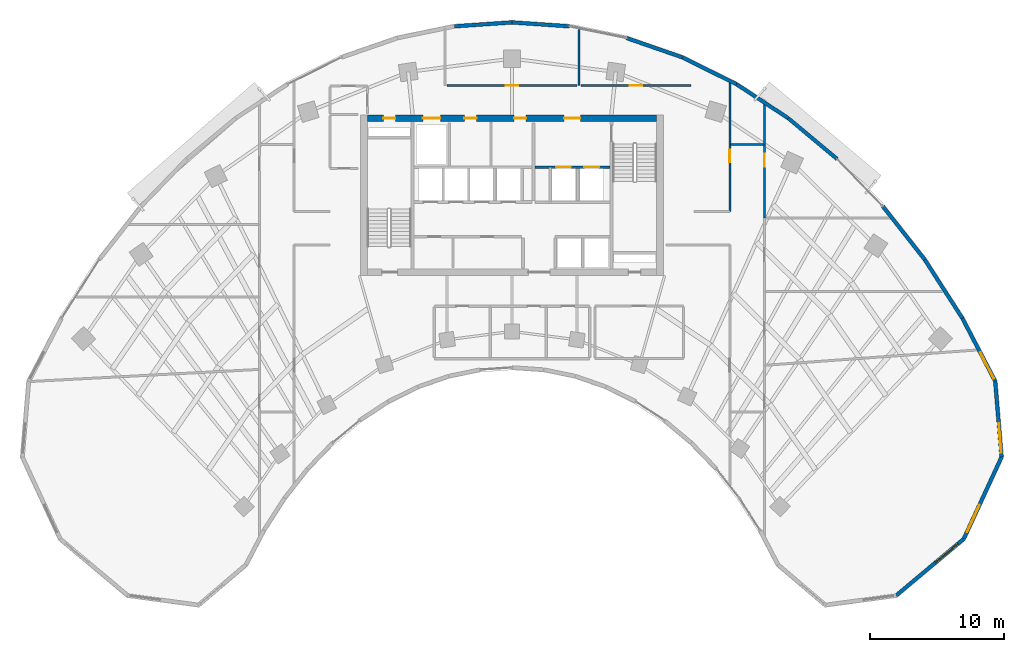
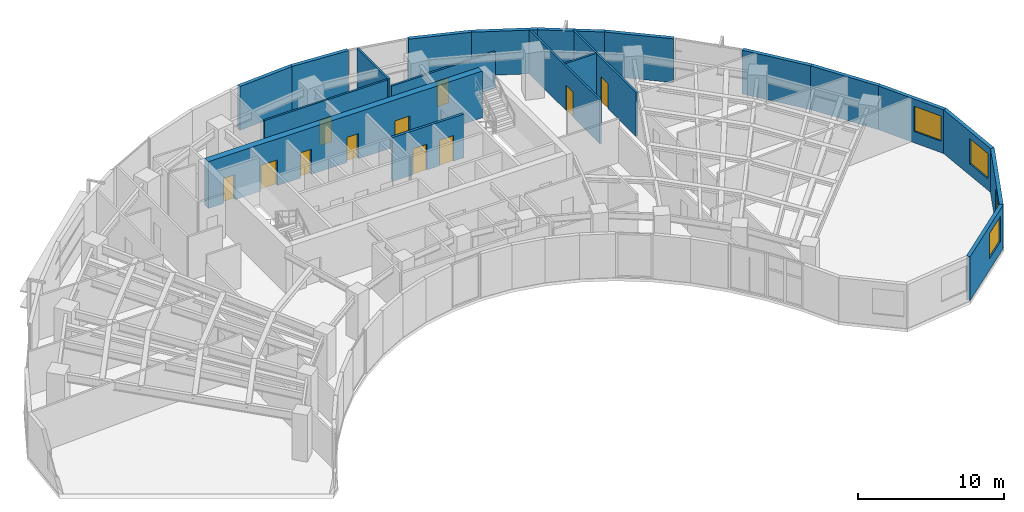
# One storey, part 11 of 14: 20 walls, 11 doors, 4 windows, 15 openings.
"""IFC4 building model written with IfcOpenShell, lengths in metres."""

from ifc_helpers import new_model, si_unit, direction, frame, frame_2d, origin, place, context, subcontext, project, spatial, rectangle, extrude, source, transform, mapped, material, layer, layer_set, type_object, type_shapes, element, fill, save


model = new_model("IFC4")

# Units and contexts
model_context = context("Model", 3, precision=1e-05, world=origin(), true_north=direction((0.0, 1.0)))
body_context = subcontext(model_context, "Body", "Model", "MODEL_VIEW")
ifc_project = project(units=[si_unit("LENGTHUNIT", "METRE"), si_unit("AREAUNIT", "SQUARE_METRE"), si_unit("VOLUMEUNIT", "CUBIC_METRE"), si_unit("PLANEANGLEUNIT", "RADIAN"), si_unit("MASSUNIT", "GRAM", prefix="KILO")], contexts=[model_context])

# Site, building, storey
site_placement = place(None, origin())
site = spatial("IfcSite", under=ifc_project, at=site_placement, CompositionType="ELEMENT")
building_placement = place(site_placement, origin())
building = spatial("IfcBuilding", under=site, at=building_placement, Name="Breltana Convention Tower", CompositionType="ELEMENT")
storey_placement = place(building_placement, frame((0.0, 0.0, 103.800048828125)))
storey = spatial("IfcBuildingStorey", under=building, at=storey_placement, Name="L24", CompositionType="ELEMENT", Elevation=103.800048828125)

# Wall, openings, doors
ifc_material_1 = material(Name="Concrete C60/75", Category="concrete")
ifc_layer_1 = layer(ifc_material_1, 0.5, Name="Concrete C60/75")
ifc_layer_set_1 = layer_set([ifc_layer_1], Name="Concrete C60/75")
wall_type_1 = type_object("IfcWallType", Name="SW-CORE-500", PredefinedType="SHEAR", material=ifc_layer_set_1)
shared_shape_1 = source(origin(), body_context, "Body", "SweptSolid", [
    extrude(rectangle(XDim=21.60009765625, YDim=0.5, at=frame_2d((10.800048828125, 0.0))), origin(), (0.0, 0.0, 1.0), 3.89990234375),
])
wall_1_placement = place(storey_placement, frame((37.199951171875, 71.949951171875, 0.0), z_axis=(0.0, 0.0, 1.0), x_axis=(1.0, 0.0, 0.0)))
wall_1 = element("IfcWall", 1, at=wall_1_placement, inside=storey, type_object=wall_type_1, Name="L24 North Core Shear Wall", PredefinedType="SHEAR", context=body_context, shape_type="MappedRepresentation", body=[
    mapped(shared_shape_1, transform((0.0, 0.0, 0.0), scale=1.0)),
])
opening_1_placement = place(wall_1_placement, frame((1.199951171875, 0.0, 0.0)))
opening_1 = element("IfcOpeningElement", 2, at=opening_1_placement, cuts=wall_1, Name="Opening D-18", PredefinedType="OPENING", context=body_context, shape_type="SweptSolid", body=[
    extrude(rectangle(XDim=0.89990234375, YDim=2.10009765625, at=frame_2d((0.449951171875, 1.050048828125))), frame((0.0, 0.260009765625, 0.0), z_axis=(0.0, -1.0, 0.0), x_axis=(1.0, 0.0, 0.0)), (0.0, 0.0, 1.0), 0.52001953125),
])
opening_2_placement = place(wall_1_placement, frame((14.699951171875, 0.0, 0.0)))
opening_2 = element("IfcOpeningElement", 3, at=opening_2_placement, cuts=wall_1, Name="Opening D-09", PredefinedType="OPENING", context=body_context, shape_type="SweptSolid", body=[
    extrude(rectangle(XDim=1.199951171875, YDim=2.14990234375, at=frame_2d((0.60009765625, 1.074951171875))), frame((0.0, 0.260009765625, 0.0), z_axis=(0.0, -1.0, 0.0), x_axis=(1.0, 0.0, 0.0)), (0.0, 0.0, 1.0), 0.52001953125),
])
opening_3_placement = place(wall_1_placement, frame((4.14990234375, 0.0, 0.0)))
opening_3 = element("IfcOpeningElement", 4, at=opening_3_placement, cuts=wall_1, Name="Opening LD-01", PredefinedType="OPENING", context=body_context, shape_type="SweptSolid", body=[
    extrude(rectangle(XDim=1.300048828125, YDim=2.14990234375, at=frame_2d((0.64990234375, 1.074951171875))), frame((0.0, 0.260009765625, 0.0), z_axis=(0.0, -1.0, 0.0), x_axis=(1.0, 0.0, 0.0)), (0.0, 0.0, 1.0), 0.52001953125),
])
opening_4_placement = place(wall_1_placement, frame((7.25, 0.0, 0.0)))
opening_4 = element("IfcOpeningElement", 5, at=opening_4_placement, cuts=wall_1, Name="Opening D-18", PredefinedType="OPENING", context=body_context, shape_type="SweptSolid", body=[
    extrude(rectangle(XDim=0.89990234375, YDim=2.10009765625, at=frame_2d((0.449951171875, 1.050048828125))), frame((0.0, 0.260009765625, 0.0), z_axis=(0.0, -1.0, 0.0), x_axis=(1.0, 0.0, 0.0)), (0.0, 0.0, 1.0), 0.52001953125),
])
opening_5_placement = place(wall_1_placement, frame((10.949951171875, 0.0, 0.0)))
opening_5 = element("IfcOpeningElement", 6, at=opening_5_placement, cuts=wall_1, Name="Opening D-18", PredefinedType="OPENING", context=body_context, shape_type="SweptSolid", body=[
    extrude(rectangle(XDim=0.89990234375, YDim=2.10009765625, at=frame_2d((0.449951171875, 1.050048828125))), frame((0.0, 0.260009765625, 0.0), z_axis=(0.0, -1.0, 0.0), x_axis=(1.0, 0.0, 0.0)), (0.0, 0.0, 1.0), 0.52001953125),
])
ifc_material_2 = material(Name="Steel Riser Fire Door", Category="steel")
door_type_1 = type_object("IfcDoorType", Name="DR-FD60-900", OperationType="NOTDEFINED", PredefinedType="DOOR", material=ifc_material_2)
shared_shape_2 = source(origin(), body_context, "Body", "SweptSolid", [
    extrude(rectangle(XDim=0.89990234375, YDim=2.10009765625, at=frame_2d((0.449951171875, 1.050048828125))), frame((0.0, 0.02490234375, 0.0), z_axis=(0.0, -1.0, 0.0), x_axis=(1.0, 0.0, 0.0)), (0.0, 0.0, 1.0), 0.050048828125),
])
type_shapes(door_type_1, [shared_shape_2])
door_1_placement = place(opening_1_placement, origin())
door_1 = element("IfcDoor", 7, at=door_1_placement, inside=storey, type_object=door_type_1, Name="L24 Core Riser Access Door D-L24-RS1", OperationType="SINGLE_SWING_LEFT", OverallHeight=2.10009765625, OverallWidth=0.89990234375, PredefinedType="DOOR", context=body_context, shape_type="MappedRepresentation", body=[
    mapped(shared_shape_2, transform((0.0, 0.0, 0.0), scale=1.0)),
])
fill(opening_1, door_1)
door_2_placement = place(opening_4_placement, origin())
door_2 = element("IfcDoor", 8, at=door_2_placement, inside=storey, type_object=door_type_1, Name="L24 interior door D-L24-CRA1", OperationType="SINGLE_SWING_RIGHT", OverallHeight=2.10009765625, OverallWidth=0.89990234375, PredefinedType="DOOR", context=body_context, shape_type="MappedRepresentation", body=[
    mapped(shared_shape_2, transform((0.0, 0.0, 0.0), scale=1.0)),
])
fill(opening_4, door_2)
door_3_placement = place(opening_5_placement, origin())
door_3 = element("IfcDoor", 9, at=door_3_placement, inside=storey, type_object=door_type_1, Name="L24 interior door D-L24-CRA2", OperationType="SINGLE_SWING_LEFT", OverallHeight=2.10009765625, OverallWidth=0.89990234375, PredefinedType="DOOR", context=body_context, shape_type="MappedRepresentation", body=[
    mapped(shared_shape_2, transform((0.0, 0.0, 0.0), scale=1.0)),
])
fill(opening_5, door_3)
ifc_material_3 = material(Name="Steel Fire Lobby Door", Category="steel")
door_type_2 = type_object("IfcDoorType", Name="DR-FD120-1200", OperationType="NOTDEFINED", PredefinedType="DOOR", material=ifc_material_3)
shared_shape_3 = source(origin(), body_context, "Body", "SweptSolid", [
    extrude(rectangle(XDim=1.199951171875, YDim=2.14990234375, at=frame_2d((0.60009765625, 1.074951171875))), frame((0.0, 0.02490234375, 0.0), z_axis=(0.0, -1.0, 0.0), x_axis=(1.0, 0.0, 0.0)), (0.0, 0.0, 1.0), 0.050048828125),
])
type_shapes(door_type_2, [shared_shape_3])
door_4_placement = place(opening_2_placement, origin())
door_4 = element("IfcDoor", 10, at=door_4_placement, inside=storey, type_object=door_type_2, Name="L24 interior door D-L24-FFL-N", OperationType="SINGLE_SWING_RIGHT", OverallHeight=2.14990234375, OverallWidth=1.199951171875, PredefinedType="DOOR", context=body_context, shape_type="MappedRepresentation", body=[
    mapped(shared_shape_3, transform((0.0, 0.0, 0.0), scale=1.0)),
])
fill(opening_2, door_4)
ifc_material_4 = material(Name="Stainless Steel Brushed", Category="steel")
door_type_3 = type_object("IfcDoorType", Name="DR-LD-SRV-1300", OperationType="DOUBLE_DOOR_SLIDING", PredefinedType="DOOR", material=ifc_material_4)
shared_shape_4 = source(origin(), body_context, "Body", "SweptSolid", [
    extrude(rectangle(XDim=1.300048828125, YDim=2.14990234375, at=frame_2d((0.64990234375, 1.074951171875))), frame((0.0, 0.02490234375, 0.0), z_axis=(0.0, -1.0, 0.0), x_axis=(1.0, 0.0, 0.0)), (0.0, 0.0, 1.0), 0.050048828125),
])
type_shapes(door_type_3, [shared_shape_4])
door_5_placement = place(opening_3_placement, origin())
door_5 = element("IfcDoor", 11, at=door_5_placement, inside=storey, type_object=door_type_3, Name="L24 Lift Landing Door D-L24-LD-SV1", OperationType="DOUBLE_DOOR_SLIDING", OverallHeight=2.14990234375, OverallWidth=1.300048828125, PredefinedType="DOOR", context=body_context, shape_type="MappedRepresentation", body=[
    mapped(shared_shape_4, transform((0.0, 0.0, 0.0), scale=1.0)),
])
fill(opening_3, door_5)

# Wall, opening, window
ifc_material_5 = material(Name="Limestone Buff Insulated Wall", Category="masonry")
ifc_layer_2 = layer(ifc_material_5, 0.280029296875, Name="Limestone Buff Insulated Wall")
ifc_layer_set_2 = layer_set([ifc_layer_2], Name="Limestone Buff Insulated Wall")
wall_type_2 = type_object("IfcWallType", Name="WL-EXT-NOSE-280", PredefinedType="SOLIDWALL", material=ifc_layer_set_2)
shared_shape_5 = source(origin(), body_context, "Body", "SweptSolid", [
    extrude(rectangle(XDim=5.673583984375, YDim=0.280029296875, at=frame_2d((2.8369140625, 0.0))), origin(), (0.0, 0.0, 1.0), 3.64990234375),
])
wall_2_placement = place(storey_placement, frame((84.07763671875, 52.305419921875, 0.0), z_axis=(0.0, 0.0, 1.0), x_axis=(0.083309007867, -0.996523762491, 0.0)))
wall_2 = element("IfcWall", 12, at=wall_2_placement, inside=storey, type_object=wall_type_2, Name="L24 curved limestone nose wall E1", PredefinedType="SOLIDWALL", context=body_context, shape_type="MappedRepresentation", body=[
    mapped(shared_shape_5, transform((0.0, 0.0, 0.0), scale=1.0)),
])
opening_6_placement = place(wall_2_placement, frame((3.155029296875, 0.0, 0.949951171875)))
opening_6 = element("IfcOpeningElement", 13, at=opening_6_placement, cuts=wall_2, Name="Opening W-03", PredefinedType="OPENING", context=body_context, shape_type="SweptSolid", body=[
    extrude(rectangle(XDim=2.199951171875, YDim=2.10009765625, at=frame_2d((1.10009765625, 1.050048828125))), frame((0.0, 0.14990234375, 0.0), z_axis=(0.0, -1.0, 0.0), x_axis=(1.0, 0.0, 0.0)), (0.0, 0.0, 1.0), 0.300048828125),
])
ifc_material_6 = material(Name="Glass Low-E Insulated Window", Category="glass")
window_type = type_object("IfcWindowType", Name="WN-NOSE-2200X2100", PartitioningType="TRIPLE_PANEL_VERTICAL", PredefinedType="WINDOW", material=ifc_material_6)
shared_shape_6 = source(origin(), body_context, "Body", "SweptSolid", [
    extrude(rectangle(XDim=2.199951171875, YDim=2.10009765625, at=frame_2d((1.10009765625, 1.050048828125))), frame((0.0, 0.030029296875, 0.0), z_axis=(0.0, -1.0, 0.0), x_axis=(1.0, 0.0, 0.0)), (0.0, 0.0, 1.0), 0.06005859375),
])
type_shapes(window_type, [shared_shape_6])
window_1_placement = place(opening_6_placement, origin())
window_1 = element("IfcWindow", 14, at=window_1_placement, inside=storey, type_object=window_type, Name="L24 nose window E1", OverallHeight=2.10009765625, OverallWidth=2.199951171875, PartitioningType="TRIPLE_PANEL_VERTICAL", PredefinedType="WINDOW", context=body_context, shape_type="MappedRepresentation", body=[
    mapped(shared_shape_6, transform((0.0, 0.0, 0.0), scale=1.0)),
])
fill(opening_6, window_1)

shared_shape_7 = source(origin(), body_context, "Body", "SweptSolid", [
    extrude(rectangle(XDim=6.731689453125, YDim=0.280029296875, at=frame_2d((3.36572265625, 0.0))), origin(), (0.0, 0.0, 1.0), 3.64990234375),
])
wall_3_placement = place(storey_placement, frame((84.55029296875, 46.651611328125, 0.0), z_axis=(0.0, 0.0, 1.0), x_axis=(-0.419644552709, -0.907688520023, 0.0)))
wall_3 = element("IfcWall", 15, at=wall_3_placement, inside=storey, type_object=wall_type_2, Name="L24 curved limestone nose wall E2", PredefinedType="SOLIDWALL", context=body_context, shape_type="MappedRepresentation", body=[
    mapped(shared_shape_7, transform((0.0, 0.0, 0.0), scale=1.0)),
])
opening_7_placement = place(wall_3_placement, frame((3.948974609375, 0.0, 0.949951171875)))
opening_7 = element("IfcOpeningElement", 16, at=opening_7_placement, cuts=wall_3, Name="Opening W-03", PredefinedType="OPENING", context=body_context, shape_type="SweptSolid", body=[
    extrude(rectangle(XDim=2.199951171875, YDim=2.10009765625, at=frame_2d((1.10009765625, 1.050048828125))), frame((0.0, 0.14990234375, 0.0), z_axis=(0.0, -1.0, 0.0), x_axis=(1.0, 0.0, 0.0)), (0.0, 0.0, 1.0), 0.300048828125),
])
window_2_placement = place(opening_7_placement, origin())
window_2 = element("IfcWindow", 17, at=window_2_placement, inside=storey, type_object=window_type, Name="L24 nose window E2", OverallHeight=2.10009765625, OverallWidth=2.199951171875, PartitioningType="TRIPLE_PANEL_VERTICAL", PredefinedType="WINDOW", context=body_context, shape_type="MappedRepresentation", body=[
    mapped(shared_shape_6, transform((0.0, 0.0, 0.0), scale=1.0)),
])
fill(opening_7, window_2)

shared_shape_8 = source(origin(), body_context, "Body", "SweptSolid", [
    extrude(rectangle(XDim=6.572998046875, YDim=0.280029296875, at=frame_2d((3.28662109375, 0.0))), origin(), (0.0, 0.0, 1.0), 3.64990234375),
])
wall_4_placement = place(storey_placement, frame((81.725341796875, 40.541259765625, 0.0), z_axis=(0.0, 0.0, 1.0), x_axis=(-0.766715154163, -0.641987439423, 0.0)))
wall_4 = element("IfcWall", 18, at=wall_4_placement, inside=storey, type_object=wall_type_2, Name="L24 curved limestone nose wall E3", PredefinedType="SOLIDWALL", context=body_context, shape_type="MappedRepresentation", body=[
    mapped(shared_shape_8, transform((0.0, 0.0, 0.0), scale=1.0)),
])
opening_8_placement = place(wall_4_placement, frame((0.543212890625, 0.0, 0.949951171875)))
opening_8 = element("IfcOpeningElement", 19, at=opening_8_placement, cuts=wall_4, Name="Opening W-03", PredefinedType="OPENING", context=body_context, shape_type="SweptSolid", body=[
    extrude(rectangle(XDim=2.199951171875, YDim=2.10009765625, at=frame_2d((1.10009765625, 1.050048828125))), frame((0.0, 0.14990234375, 0.0), z_axis=(0.0, -1.0, 0.0), x_axis=(1.0, 0.0, 0.0)), (0.0, 0.0, 1.0), 0.300048828125),
])
window_3_placement = place(opening_8_placement, origin())
window_3 = element("IfcWindow", 20, at=window_3_placement, inside=storey, type_object=window_type, Name="L24 nose window E3", OverallHeight=2.10009765625, OverallWidth=2.199951171875, PartitioningType="TRIPLE_PANEL_VERTICAL", PredefinedType="WINDOW", context=body_context, shape_type="MappedRepresentation", body=[
    mapped(shared_shape_6, transform((0.0, 0.0, 0.0), scale=1.0)),
])
fill(opening_8, window_3)

shared_shape_9 = source(origin(), body_context, "Body", "SweptSolid", [
    extrude(rectangle(XDim=5.315185546875, YDim=0.280029296875, at=frame_2d((2.65771484375, 0.0))), origin(), (0.0, 0.0, 1.0), 3.64990234375),
])
wall_5_placement = place(storey_placement, frame((81.623291015625, 57.02001953125, 0.0), z_axis=(0.0, 0.0, 1.0), x_axis=(0.461760527822, -0.887004630735, 0.0)))
wall_5 = element("IfcWall", 21, at=wall_5_placement, inside=storey, type_object=wall_type_2, Name="L24 curved limestone nose wall E34", PredefinedType="SOLIDWALL", context=body_context, shape_type="MappedRepresentation", body=[
    mapped(shared_shape_9, transform((0.0, 0.0, 0.0), scale=1.0)),
])
opening_9_placement = place(wall_5_placement, frame((2.886474609375, 0.0, 0.949951171875)))
opening_9 = element("IfcOpeningElement", 22, at=opening_9_placement, cuts=wall_5, Name="Opening W-03", PredefinedType="OPENING", context=body_context, shape_type="SweptSolid", body=[
    extrude(rectangle(XDim=2.199951171875, YDim=2.10009765625, at=frame_2d((1.10009765625, 1.050048828125))), frame((0.0, 0.14990234375, 0.0), z_axis=(0.0, -1.0, 0.0), x_axis=(1.0, 0.0, 0.0)), (0.0, 0.0, 1.0), 0.300048828125),
])
window_4_placement = place(opening_9_placement, origin())
window_4 = element("IfcWindow", 23, at=window_4_placement, inside=storey, type_object=window_type, Name="L24 nose window E34", OverallHeight=2.10009765625, OverallWidth=2.199951171875, PartitioningType="TRIPLE_PANEL_VERTICAL", PredefinedType="WINDOW", context=body_context, shape_type="MappedRepresentation", body=[
    mapped(shared_shape_6, transform((0.0, 0.0, 0.0), scale=1.0)),
])
fill(opening_9, window_4)

# Walls
shared_shape_10 = source(origin(), body_context, "Body", "SweptSolid", [
    extrude(rectangle(XDim=5.05810546875, YDim=0.280029296875, at=frame_2d((2.529052734375, 0.0))), origin(), (0.0, 0.0, 1.0), 3.64990234375),
])
wall_6_placement = place(storey_placement, frame((75.684814453125, 65.37646484375, 0.0), z_axis=(0.0, 0.0, 1.0), x_axis=(0.618145507434, -0.786063694391, 0.0)))
element("IfcWall", 24, at=wall_6_placement, inside=storey, type_object=wall_type_2, Name="L24 curved limestone nose wall E32", PredefinedType="SOLIDWALL", context=body_context, shape_type="MappedRepresentation", body=[
    mapped(shared_shape_10, transform((0.0, 0.0, 0.0), scale=1.0)),
])
shared_shape_11 = source(origin(), body_context, "Body", "SweptSolid", [
    extrude(rectangle(XDim=4.76220703125, YDim=0.280029296875, at=frame_2d((2.381103515625, 0.0))), origin(), (0.0, 0.0, 1.0), 3.64990234375),
])
wall_7_placement = place(storey_placement, frame((68.6181640625, 71.957763671875, 0.0), z_axis=(0.0, 0.0, 1.0), x_axis=(0.767952279762, -0.640507061638, 0.0)))
element("IfcWall", 25, at=wall_7_placement, inside=storey, type_object=wall_type_2, Name="L24 curved limestone nose wall E31", PredefinedType="SOLIDWALL", context=body_context, shape_type="MappedRepresentation", body=[
    mapped(shared_shape_11, transform((0.0, 0.0, 0.0), scale=1.0)),
])
shared_shape_12 = source(origin(), body_context, "Body", "SweptSolid", [
    extrude(rectangle(XDim=4.625732421875, YDim=0.280029296875, at=frame_2d((2.31298828125, 0.0))), origin(), (0.0, 0.0, 1.0), 3.64990234375),
])
wall_8_placement = place(storey_placement, frame((64.751220703125, 74.496337890625, 0.0), z_axis=(0.0, 0.0, 1.0), x_axis=(0.83595938331, -0.548791316855, 0.0)))
element("IfcWall", 26, at=wall_8_placement, inside=storey, type_object=wall_type_2, Name="L24 curved limestone nose wall E30", PredefinedType="SOLIDWALL", context=body_context, shape_type="MappedRepresentation", body=[
    mapped(shared_shape_12, transform((0.0, 0.0, 0.0), scale=1.0)),
])
shared_shape_13 = source(origin(), body_context, "Body", "SweptSolid", [
    extrude(rectangle(XDim=4.408935546875, YDim=0.280029296875, at=frame_2d((2.20458984375, 0.0))), origin(), (0.0, 0.0, 1.0), 3.64990234375),
])
wall_9_placement = place(storey_placement, frame((56.54833984375, 77.94091796875, 0.0), z_axis=(0.0, 0.0, 1.0), x_axis=(0.944879374121, -0.327418643881, 0.0)))
element("IfcWall", 27, at=wall_9_placement, inside=storey, type_object=wall_type_2, Name="L24 curved limestone nose wall E28", PredefinedType="SOLIDWALL", context=body_context, shape_type="MappedRepresentation", body=[
    mapped(shared_shape_13, transform((0.0, 0.0, 0.0), scale=1.0)),
])
shared_shape_14 = source(origin(), body_context, "Body", "SweptSolid", [
    extrude(rectangle(XDim=4.3056640625, YDim=0.280029296875, at=frame_2d((2.15283203125, 0.0))), origin(), (0.0, 0.0, 1.0), 3.64990234375),
])
for number, where, z_axis, x_axis, name in (
    (28, (43.7041015625, 78.81298828125, 0.0), (0.0, 0.0, 1.0), (0.997705679258, 0.067700646797, 0.0), "L24 curved limestone nose wall E26"),
    (29, (48.0, 79.1044921875, 0.0), (0.0, 0.0, 1.0), (0.997705679258, -0.067700646797, 0.0), "L24 curved limestone nose wall E27"),
):
    element("IfcWall", number, at=place(storey_placement, frame(where, z_axis=z_axis, x_axis=x_axis)), inside=storey, type_object=wall_type_2, Name=name, PredefinedType="SOLIDWALL", context=body_context, shape_type="MappedRepresentation", body=[
        mapped(shared_shape_14, transform((0.0, 0.0, 0.0), scale=1.0)),
    ])
shared_shape_15 = source(origin(), body_context, "Body", "SweptSolid", [
    extrude(rectangle(XDim=4.505615234375, YDim=0.280029296875, at=frame_2d((2.2529296875, 0.0))), origin(), (0.0, 0.0, 1.0), 3.64990234375),
])
wall_10_placement = place(storey_placement, frame((60.71435546875, 76.497314453125, 0.0), z_axis=(0.0, 0.0, 1.0), x_axis=(0.89597155075, -0.444111450254, 0.0)))
element("IfcWall", 30, at=wall_10_placement, inside=storey, type_object=wall_type_2, Name="L24 curved limestone nose wall E29", PredefinedType="SOLIDWALL", context=body_context, shape_type="MappedRepresentation", body=[
    mapped(shared_shape_15, transform((0.0, 0.0, 0.0), scale=1.0)),
])
shared_shape_16 = source(origin(), body_context, "Body", "SweptSolid", [
    extrude(rectangle(XDim=5.205078125, YDim=0.280029296875, at=frame_2d((2.6025390625, 0.0))), origin(), (0.0, 0.0, 1.0), 3.64990234375),
])
wall_11_placement = place(storey_placement, frame((78.8115234375, 61.400390625, 0.0), z_axis=(0.0, 0.0, 1.0), x_axis=(0.540188528895, -0.8415440293, 0.0)))
element("IfcWall", 31, at=wall_11_placement, inside=storey, type_object=wall_type_2, Name="L24 curved limestone nose wall E33", PredefinedType="SOLIDWALL", context=body_context, shape_type="MappedRepresentation", body=[
    mapped(shared_shape_16, transform((0.0, 0.0, 0.0), scale=1.0)),
])

# Wall, openings, doors
ifc_material_7 = material(Name="Autoclaved Aerated Concrete Block", Category="concrete")
ifc_layer_3 = layer(ifc_material_7, 0.199951171875, Name="Autoclaved Aerated Concrete Block")
ifc_layer_set_3 = layer_set([ifc_layer_3], Name="Autoclaved Aerated Concrete Block")
wall_type_3 = type_object("IfcWallType", Name="WL-SHAFT-200", PredefinedType="SOLIDWALL", material=ifc_layer_set_3)
shared_shape_17 = source(origin(), body_context, "Body", "SweptSolid", [
    extrude(rectangle(XDim=5.6201171875, YDim=0.199951171875, at=frame_2d((2.81005859375, 0.0))), origin(), (0.0, 0.0, 1.0), 3.64990234375),
])
wall_12_placement = place(storey_placement, frame((49.699951171875, 68.300048828125, 0.0), z_axis=(0.0, 0.0, 1.0), x_axis=(1.0, 0.0, 0.0)))
wall_12 = element("IfcWall", 32, at=wall_12_placement, inside=storey, type_object=wall_type_3, Name="L24 interior partition W-L24-FFL-S", PredefinedType="SOLIDWALL", context=body_context, shape_type="MappedRepresentation", body=[
    mapped(shared_shape_17, transform((0.0, 0.0, 0.0), scale=1.0)),
])
opening_10_placement = place(wall_12_placement, frame((1.60009765625, 0.0, 0.0)))
opening_10 = element("IfcOpeningElement", 33, at=opening_10_placement, cuts=wall_12, Name="Opening LD-03", PredefinedType="OPENING", context=body_context, shape_type="SweptSolid", body=[
    extrude(rectangle(XDim=1.10009765625, YDim=2.14990234375, at=frame_2d((0.550048828125, 1.074951171875))), frame((0.0, 0.10986328125, 0.0), z_axis=(0.0, -1.0, 0.0), x_axis=(1.0, 0.0, 0.0)), (0.0, 0.0, 1.0), 0.219970703125),
])
opening_11_placement = place(wall_12_placement, frame((3.699951171875, 0.0, 0.0)))
opening_11 = element("IfcOpeningElement", 34, at=opening_11_placement, cuts=wall_12, Name="Opening LD-03", PredefinedType="OPENING", context=body_context, shape_type="SweptSolid", body=[
    extrude(rectangle(XDim=1.10009765625, YDim=2.14990234375, at=frame_2d((0.550048828125, 1.074951171875))), frame((0.0, 0.10986328125, 0.0), z_axis=(0.0, -1.0, 0.0), x_axis=(1.0, 0.0, 0.0)), (0.0, 0.0, 1.0), 0.219970703125),
])
door_type_4 = type_object("IfcDoorType", Name="DR-LD-FF-1100", OperationType="DOUBLE_DOOR_SLIDING", PredefinedType="DOOR", material=ifc_material_4)
shared_shape_18 = source(origin(), body_context, "Body", "SweptSolid", [
    extrude(rectangle(XDim=1.10009765625, YDim=2.14990234375, at=frame_2d((0.550048828125, 1.074951171875))), frame((0.0, 0.02490234375, 0.0), z_axis=(0.0, -1.0, 0.0), x_axis=(1.0, 0.0, 0.0)), (0.0, 0.0, 1.0), 0.050048828125),
])
type_shapes(door_type_4, [shared_shape_18])
door_6_placement = place(opening_10_placement, origin())
door_6 = element("IfcDoor", 35, at=door_6_placement, inside=storey, type_object=door_type_4, Name="L24 Lift Landing Door D-L24-LD-FL1", OperationType="DOUBLE_DOOR_SLIDING", OverallHeight=2.14990234375, OverallWidth=1.10009765625, PredefinedType="DOOR", context=body_context, shape_type="MappedRepresentation", body=[
    mapped(shared_shape_18, transform((0.0, 0.0, 0.0), scale=1.0)),
])
fill(opening_10, door_6)
door_7_placement = place(opening_11_placement, origin())
door_7 = element("IfcDoor", 36, at=door_7_placement, inside=storey, type_object=door_type_4, Name="L24 Lift Landing Door D-L24-LD-FL2", OperationType="DOUBLE_DOOR_SLIDING", OverallHeight=2.14990234375, OverallWidth=1.10009765625, PredefinedType="DOOR", context=body_context, shape_type="MappedRepresentation", body=[
    mapped(shared_shape_18, transform((0.0, 0.0, 0.0), scale=1.0)),
])
fill(opening_11, door_7)

# Wall
ifc_material_8 = material(Name="Gypsum Acoustic Drywall Partition")
ifc_layer_4 = layer(ifc_material_8, 0.14990234375, Name="Gypsum Acoustic Drywall Partition")
ifc_layer_set_4 = layer_set([ifc_layer_4], Name="Gypsum Acoustic Drywall Partition")
wall_type_4 = type_object("IfcWallType", Name="WL-PART-150", PredefinedType="PARTITIONING", material=ifc_layer_set_4)
shared_shape_19 = source(origin(), body_context, "Body", "SweptSolid", [
    extrude(rectangle(XDim=2.5, YDim=0.14990234375, at=frame_2d((1.25, 0.0))), origin(), (0.0, 0.0, 1.0), 3.64990234375),
])
wall_13_placement = place(storey_placement, frame((64.300048828125, 70.0, 0.0), z_axis=(0.0, 0.0, 1.0), x_axis=(1.0, 0.0, 0.0)))
element("IfcWall", 37, at=wall_13_placement, inside=storey, type_object=wall_type_4, Name="L24 interior partition W-L24-CORNE-N", PredefinedType="PARTITIONING", context=body_context, shape_type="MappedRepresentation", body=[
    mapped(shared_shape_19, transform((0.0, 0.0, 0.0), scale=1.0)),
])

# Wall, opening, door
shared_shape_20 = source(origin(), body_context, "Body", "SweptSolid", [
    extrude(rectangle(XDim=8.613037109375, YDim=0.14990234375, at=frame_2d((4.306640625, 0.0))), origin(), (0.0, 0.0, 1.0), 3.64990234375),
])
wall_14_placement = place(storey_placement, frame((66.840087890625, 64.5, 0.0), z_axis=(0.0, 0.0, 1.0), x_axis=(0.0, 1.0, 0.0)))
wall_14 = element("IfcWall", 38, at=wall_14_placement, inside=storey, type_object=wall_type_4, Name="L24 interior partition W-L24-ZE4-W", PredefinedType="PARTITIONING", context=body_context, shape_type="MappedRepresentation", body=[
    mapped(shared_shape_20, transform((0.0, 0.0, 0.0), scale=1.0)),
])
opening_12_placement = place(wall_14_placement, frame((3.83154296875, 0.0, 0.0)))
opening_12 = element("IfcOpeningElement", 39, at=opening_12_placement, cuts=wall_14, Name="Opening D-17", PredefinedType="OPENING", context=body_context, shape_type="SweptSolid", body=[
    extrude(rectangle(XDim=0.949951171875, YDim=2.10009765625, at=frame_2d((0.47509765625, 1.050048828125))), frame((0.0, 0.0849609375, 0.0), z_axis=(0.0, -1.0, 0.0), x_axis=(1.0, 0.0, 0.0)), (0.0, 0.0, 1.0), 0.169921875),
])
ifc_material_9 = material(Name="Timber Oak Veneer Door", Category="wood")
door_type_5 = type_object("IfcDoorType", Name="DR-INT-950", OperationType="NOTDEFINED", PredefinedType="DOOR", material=ifc_material_9)
shared_shape_21 = source(origin(), body_context, "Body", "SweptSolid", [
    extrude(rectangle(XDim=0.949951171875, YDim=2.10009765625, at=frame_2d((0.47509765625, 1.050048828125))), frame((0.0, 0.02490234375, 0.0), z_axis=(0.0, -1.0, 0.0), x_axis=(1.0, 0.0, 0.0)), (0.0, 0.0, 1.0), 0.050048828125),
])
type_shapes(door_type_5, [shared_shape_21])
door_8_placement = place(opening_12_placement, origin())
door_8 = element("IfcDoor", 40, at=door_8_placement, inside=storey, type_object=door_type_5, Name="L24 interior door D-L24-ZE4", OperationType="SINGLE_SWING_LEFT", OverallHeight=2.10009765625, OverallWidth=0.949951171875, PredefinedType="DOOR", context=body_context, shape_type="MappedRepresentation", body=[
    mapped(shared_shape_21, transform((0.0, 0.0, 0.0), scale=1.0)),
])
fill(opening_12, door_8)

shared_shape_22 = source(origin(), body_context, "Body", "SweptSolid", [
    extrude(rectangle(XDim=8.2001953125, YDim=0.14990234375, at=frame_2d((4.10009765625, 0.0))), origin(), (0.0, 0.0, 1.0), 3.02197265625),
])
wall_15_placement = place(storey_placement, frame((53.14990234375, 74.39990234375, 0.0), z_axis=(0.0, 0.0, 1.0), x_axis=(1.0, 0.0, 0.0)))
wall_15 = element("IfcWall", 41, at=wall_15_placement, inside=storey, type_object=wall_type_4, Name="L24 interior partition W-L24-ZN3-S", PredefinedType="PARTITIONING", context=body_context, shape_type="MappedRepresentation", body=[
    mapped(shared_shape_22, transform((0.0, 0.0, 0.0), scale=1.0)),
])
opening_13_placement = place(wall_15_placement, frame((3.625, 0.0, 0.0)))
opening_13 = element("IfcOpeningElement", 42, at=opening_13_placement, cuts=wall_15, Name="Opening D-17", PredefinedType="OPENING", context=body_context, shape_type="SweptSolid", body=[
    extrude(rectangle(XDim=0.949951171875, YDim=2.10009765625, at=frame_2d((0.47509765625, 1.050048828125))), frame((0.0, 0.0849609375, 0.0), z_axis=(0.0, -1.0, 0.0), x_axis=(1.0, 0.0, 0.0)), (0.0, 0.0, 1.0), 0.169921875),
])
door_9_placement = place(opening_13_placement, origin())
door_9 = element("IfcDoor", 43, at=door_9_placement, inside=storey, type_object=door_type_5, Name="L24 interior door D-L24-ZN3", OperationType="SINGLE_SWING_RIGHT", OverallHeight=2.10009765625, OverallWidth=0.949951171875, PredefinedType="DOOR", context=body_context, shape_type="MappedRepresentation", body=[
    mapped(shared_shape_21, transform((0.0, 0.0, 0.0), scale=1.0)),
])
fill(opening_13, door_9)

# Wall
shared_shape_23 = source(origin(), body_context, "Body", "SweptSolid", [
    extrude(rectangle(XDim=4.258544921875, YDim=0.14990234375, at=frame_2d((2.12939453125, 0.0))), origin(), (0.0, 0.0, 1.0), 3.64990234375),
])
wall_16_placement = place(storey_placement, frame((53.0, 74.39990234375, 0.0), z_axis=(0.0, 0.0, 1.0), x_axis=(0.0, 1.0, 0.0)))
element("IfcWall", 44, at=wall_16_placement, inside=storey, type_object=wall_type_4, Name="L24 interior partition W-L24-ZN2-E", PredefinedType="PARTITIONING", context=body_context, shape_type="MappedRepresentation", body=[
    mapped(shared_shape_23, transform((0.0, 0.0, 0.0), scale=1.0)),
])

# Wall, opening, door
shared_shape_24 = source(origin(), body_context, "Body", "SweptSolid", [
    extrude(rectangle(XDim=9.7001953125, YDim=0.14990234375, at=frame_2d((4.85009765625, 0.0))), origin(), (0.0, 0.0, 1.0), 3.64990234375),
])
wall_17_placement = place(storey_placement, frame((43.14990234375, 74.39990234375, 0.0), z_axis=(0.0, 0.0, 1.0), x_axis=(1.0, 0.0, 0.0)))
wall_17 = element("IfcWall", 45, at=wall_17_placement, inside=storey, type_object=wall_type_4, Name="L24 interior partition W-L24-ZN2-S", PredefinedType="PARTITIONING", context=body_context, shape_type="MappedRepresentation", body=[
    mapped(shared_shape_24, transform((0.0, 0.0, 0.0), scale=1.0)),
])
opening_14_placement = place(wall_17_placement, frame((4.375, 0.0, 0.0)))
opening_14 = element("IfcOpeningElement", 46, at=opening_14_placement, cuts=wall_17, Name="Opening D-17", PredefinedType="OPENING", context=body_context, shape_type="SweptSolid", body=[
    extrude(rectangle(XDim=0.949951171875, YDim=2.10009765625, at=frame_2d((0.47509765625, 1.050048828125))), frame((0.0, 0.0849609375, 0.0), z_axis=(0.0, -1.0, 0.0), x_axis=(1.0, 0.0, 0.0)), (0.0, 0.0, 1.0), 0.169921875),
])
door_10_placement = place(opening_14_placement, origin())
door_10 = element("IfcDoor", 47, at=door_10_placement, inside=storey, type_object=door_type_5, Name="L24 interior door D-L24-ZN2", OperationType="SINGLE_SWING_LEFT", OverallHeight=2.10009765625, OverallWidth=0.949951171875, PredefinedType="DOOR", context=body_context, shape_type="MappedRepresentation", body=[
    mapped(shared_shape_21, transform((0.0, 0.0, 0.0), scale=1.0)),
])
fill(opening_14, door_10)

shared_shape_25 = source(origin(), body_context, "Body", "SweptSolid", [
    extrude(rectangle(XDim=9.728515625, YDim=0.14990234375, at=frame_2d((4.8642578125, 0.0))), origin(), (0.0, 0.0, 1.0), 3.64990234375),
])
wall_18_placement = place(storey_placement, frame((64.260009765625, 65.0, 0.0), z_axis=(0.0, 0.0, 1.0), x_axis=(0.0, 1.0, 0.0)))
wall_18 = element("IfcWall", 48, at=wall_18_placement, inside=storey, type_object=wall_type_4, Name="L24 interior partition W-L24-ZME2-D", PredefinedType="PARTITIONING", context=body_context, shape_type="MappedRepresentation", body=[
    mapped(shared_shape_25, transform((0.0, 0.0, 0.0), scale=1.0)),
])
opening_15_placement = place(wall_18_placement, frame((3.64990234375, 0.0, 0.0)))
opening_15 = element("IfcOpeningElement", 49, at=opening_15_placement, cuts=wall_18, Name="Opening D-17", PredefinedType="OPENING", context=body_context, shape_type="SweptSolid", body=[
    extrude(rectangle(XDim=0.949951171875, YDim=2.10009765625, at=frame_2d((0.47509765625, 1.050048828125))), frame((0.0, 0.0849609375, 0.0), z_axis=(0.0, -1.0, 0.0), x_axis=(1.0, 0.0, 0.0)), (0.0, 0.0, 1.0), 0.169921875),
])
door_11_placement = place(opening_15_placement, origin())
door_11 = element("IfcDoor", 50, at=door_11_placement, inside=storey, type_object=door_type_5, Name="L24 interior door D-L24-ZME2", OperationType="SINGLE_SWING_RIGHT", OverallHeight=2.10009765625, OverallWidth=0.949951171875, PredefinedType="DOOR", context=body_context, shape_type="MappedRepresentation", body=[
    mapped(shared_shape_21, transform((0.0, 0.0, 0.0), scale=1.0)),
])
fill(opening_15, door_11)

save(model, "model.ifc")
